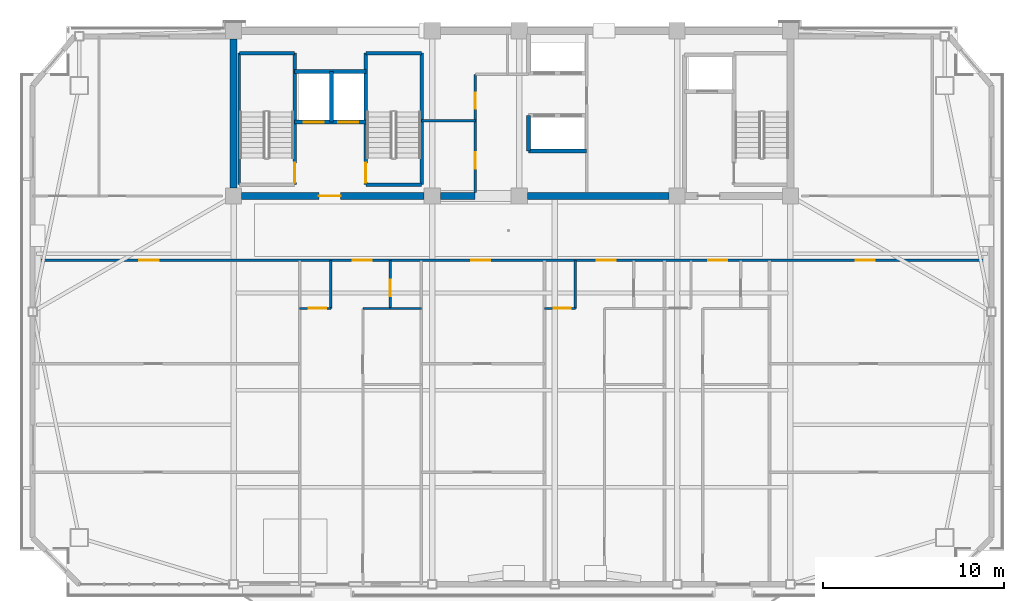
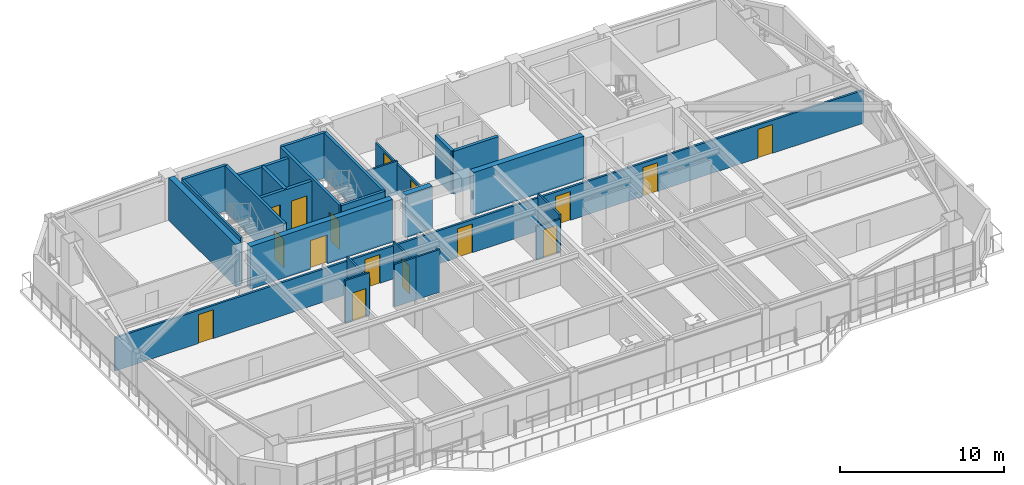
# One storey, part 9 of 18: 26 walls, 16 doors, 16 openings.
"""IFC4 building model written with IfcOpenShell, lengths in metres."""

from ifc_helpers import new_model, si_unit, direction, frame, frame_2d, origin, place, context, subcontext, project, spatial, rectangle, extrude, source, transform, mapped, material, layer, layer_set, type_object, element, fill, save


model = new_model("IFC4")

# Units and contexts
model_context = context("Model", 3, precision=1e-05, world=origin(), true_north=direction((0.0, 1.0)))
body_context = subcontext(model_context, "Body", "Model", "MODEL_VIEW")
ifc_project = project(units=[si_unit("LENGTHUNIT", "METRE"), si_unit("AREAUNIT", "SQUARE_METRE"), si_unit("VOLUMEUNIT", "CUBIC_METRE"), si_unit("PLANEANGLEUNIT", "RADIAN"), si_unit("MASSUNIT", "GRAM", prefix="KILO")], contexts=[model_context])

# Site, building, storey
site_placement = place(None, origin())
site = spatial("IfcSite", under=ifc_project, at=site_placement, CompositionType="ELEMENT")
building_placement = place(site_placement, origin())
building = spatial("IfcBuilding", under=site, at=building_placement, Name="Giltprow Tower", CompositionType="ELEMENT")
storey_placement = place(building_placement, frame((0.0, 0.0, 262.10009765625)))
storey = spatial("IfcBuildingStorey", under=building, at=storey_placement, Name="L67", CompositionType="ELEMENT", Elevation=262.10009765625)

# Wall, openings, doors
ifc_material_1 = material(Name="Gypsum stud partition", Category="gypsum")
ifc_layer_1 = layer(ifc_material_1, 0.14990234375, Name="Gypsum stud partition")
ifc_layer_set_1 = layer_set([ifc_layer_1], Name="Gypsum stud partition")
wall_type_1 = type_object("IfcWallType", Name="IW-CORR-150", PredefinedType="PARTITIONING", material=ifc_layer_set_1)
wall_1_placement = place(storey_placement, frame((8.779052734375, 33.89990234375, 0.0), z_axis=(0.0, 0.0, 1.0), x_axis=(1.0, 0.0, 0.0)))
wall_1 = element("IfcWall", 1, at=wall_1_placement, inside=storey, type_object=wall_type_1, Name="L67 Residence Gallery Corridor Wall", PredefinedType="PARTITIONING", context=body_context, shape_type="SweptSolid", body=[
    extrude(rectangle(XDim=52.843017578125, YDim=0.14990234375, at=frame_2d((26.42138671875, 0.0))), origin(), (0.0, 0.0, 1.0), 2.469970703125),
])
opening_1_placement = place(wall_1_placement, frame((5.886962890625, 0.0, 0.0)))
opening_1 = element("IfcOpeningElement", 2, at=opening_1_placement, cuts=wall_1, Name="Opening ID31", PredefinedType="OPENING", context=body_context, shape_type="SweptSolid", body=[
    extrude(rectangle(XDim=1.050048828125, YDim=2.14990234375, at=frame_2d((0.52490234375, 1.074951171875))), frame((0.0, 0.0849609375, 0.0), z_axis=(0.0, -1.0, 0.0), x_axis=(1.0, 0.0, 0.0)), (0.0, 0.0, 1.0), 0.169921875),
])
opening_2_placement = place(wall_1_placement, frame((17.64599609375, 0.0, 0.0)))
opening_2 = element("IfcOpeningElement", 3, at=opening_2_placement, cuts=wall_1, Name="Opening ID31", PredefinedType="OPENING", context=body_context, shape_type="SweptSolid", body=[
    extrude(rectangle(XDim=1.050048828125, YDim=2.14990234375, at=frame_2d((0.52490234375, 1.074951171875))), frame((0.0, 0.0849609375, 0.0), z_axis=(0.0, -1.0, 0.0), x_axis=(1.0, 0.0, 0.0)), (0.0, 0.0, 1.0), 0.169921875),
])
opening_3_placement = place(wall_1_placement, frame((24.174072265625, 0.0, 0.0)))
opening_3 = element("IfcOpeningElement", 4, at=opening_3_placement, cuts=wall_1, Name="Opening ID31", PredefinedType="OPENING", context=body_context, shape_type="SweptSolid", body=[
    extrude(rectangle(XDim=1.050048828125, YDim=2.14990234375, at=frame_2d((0.52490234375, 1.074951171875))), frame((0.0, 0.0849609375, 0.0), z_axis=(0.0, -1.0, 0.0), x_axis=(1.0, 0.0, 0.0)), (0.0, 0.0, 1.0), 0.169921875),
])
opening_4_placement = place(wall_1_placement, frame((31.095947265625, 0.0, 0.0)))
opening_4 = element("IfcOpeningElement", 5, at=opening_4_placement, cuts=wall_1, Name="Opening ID31", PredefinedType="OPENING", context=body_context, shape_type="SweptSolid", body=[
    extrude(rectangle(XDim=1.050048828125, YDim=2.14990234375, at=frame_2d((0.52490234375, 1.074951171875))), frame((0.0, 0.0849609375, 0.0), z_axis=(0.0, -1.0, 0.0), x_axis=(1.0, 0.0, 0.0)), (0.0, 0.0, 1.0), 0.169921875),
])
opening_5_placement = place(wall_1_placement, frame((37.240966796875, 0.0, 0.0)))
opening_5 = element("IfcOpeningElement", 6, at=opening_5_placement, cuts=wall_1, Name="Opening ID31", PredefinedType="OPENING", context=body_context, shape_type="SweptSolid", body=[
    extrude(rectangle(XDim=1.050048828125, YDim=2.14990234375, at=frame_2d((0.52490234375, 1.074951171875))), frame((0.0, 0.0849609375, 0.0), z_axis=(0.0, -1.0, 0.0), x_axis=(1.0, 0.0, 0.0)), (0.0, 0.0, 1.0), 0.169921875),
])
opening_6_placement = place(wall_1_placement, frame((45.35888671875, 0.0, 0.0)))
opening_6 = element("IfcOpeningElement", 7, at=opening_6_placement, cuts=wall_1, Name="Opening ID31", PredefinedType="OPENING", context=body_context, shape_type="SweptSolid", body=[
    extrude(rectangle(XDim=1.050048828125, YDim=2.14990234375, at=frame_2d((0.52490234375, 1.074951171875))), frame((0.0, 0.0849609375, 0.0), z_axis=(0.0, -1.0, 0.0), x_axis=(1.0, 0.0, 0.0)), (0.0, 0.0, 1.0), 0.169921875),
])
ifc_material_2 = material(Name="Engineered timber", Category="wood")
door_type_1 = type_object("IfcDoorType", Name="DR-SUITE-1050", OperationType="SINGLE_SWING_LEFT", PredefinedType="DOOR", material=ifc_material_2)
shared_shape_1 = source(origin(), body_context, "Body", "SweptSolid", [
    extrude(rectangle(XDim=1.050048828125, YDim=2.14990234375, at=frame_2d((0.52490234375, 1.074951171875))), frame((0.0, 0.02490234375, 0.0), z_axis=(0.0, -1.0, 0.0), x_axis=(1.0, 0.0, 0.0)), (0.0, 0.0, 1.0), 0.050048828125),
])
door_1_placement = place(opening_1_placement, origin())
door_1 = element("IfcDoor", 8, at=door_1_placement, inside=storey, type_object=door_type_1, Name="L67 Residents Board Meeting Room 1 North Door", OperationType="SINGLE_SWING_RIGHT", OverallHeight=2.14990234375, OverallWidth=1.050048828125, PredefinedType="DOOR", context=body_context, shape_type="MappedRepresentation", body=[
    mapped(shared_shape_1, transform((0.0, 0.0, 0.0), x_axis=(1.0, 0.0, 0.0), y_axis=(0.0, 1.0, 0.0), z_axis=(0.0, 0.0, 1.0), scale=1.0)),
])
fill(opening_1, door_1)
door_2_placement = place(opening_2_placement, origin())
door_2 = element("IfcDoor", 9, at=door_2_placement, inside=storey, type_object=door_type_1, Name="L67 Unit 1 Entrance Door", OperationType="SINGLE_SWING_LEFT", OverallHeight=2.14990234375, OverallWidth=1.050048828125, PredefinedType="DOOR", context=body_context, shape_type="MappedRepresentation", body=[
    mapped(shared_shape_1, transform((0.0, 0.0, 0.0), x_axis=(1.0, 0.0, 0.0), y_axis=(0.0, 1.0, 0.0), z_axis=(0.0, 0.0, 1.0), scale=1.0)),
])
fill(opening_2, door_2)
door_3_placement = place(opening_3_placement, origin())
door_3 = element("IfcDoor", 10, at=door_3_placement, inside=storey, type_object=door_type_1, Name="L67 Briefing Meeting Room 2 North Door", OperationType="SINGLE_SWING_RIGHT", OverallHeight=2.14990234375, OverallWidth=1.050048828125, PredefinedType="DOOR", context=body_context, shape_type="MappedRepresentation", body=[
    mapped(shared_shape_1, transform((0.0, 0.0, 0.0), x_axis=(1.0, 0.0, 0.0), y_axis=(0.0, 1.0, 0.0), z_axis=(0.0, 0.0, 1.0), scale=1.0)),
])
fill(opening_3, door_3)
door_4_placement = place(opening_4_placement, origin())
door_4 = element("IfcDoor", 11, at=door_4_placement, inside=storey, type_object=door_type_1, Name="L67 Unit 2 Entrance Door", OperationType="SINGLE_SWING_LEFT", OverallHeight=2.14990234375, OverallWidth=1.050048828125, PredefinedType="DOOR", context=body_context, shape_type="MappedRepresentation", body=[
    mapped(shared_shape_1, transform((0.0, 0.0, 0.0), x_axis=(1.0, 0.0, 0.0), y_axis=(0.0, 1.0, 0.0), z_axis=(0.0, 0.0, 1.0), scale=1.0)),
])
fill(opening_4, door_4)
door_5_placement = place(opening_5_placement, origin())
door_5 = element("IfcDoor", 12, at=door_5_placement, inside=storey, type_object=door_type_1, Name="L67 Unit 3 Entrance Door", OperationType="SINGLE_SWING_RIGHT", OverallHeight=2.14990234375, OverallWidth=1.050048828125, PredefinedType="DOOR", context=body_context, shape_type="MappedRepresentation", body=[
    mapped(shared_shape_1, transform((0.0, 0.0, 0.0), x_axis=(1.0, 0.0, 0.0), y_axis=(0.0, 1.0, 0.0), z_axis=(0.0, 0.0, 1.0), scale=1.0)),
])
fill(opening_5, door_5)
door_6_placement = place(opening_6_placement, origin())
door_6 = element("IfcDoor", 13, at=door_6_placement, inside=storey, type_object=door_type_1, Name="L67 Screening Meeting Room 3 North Door", OperationType="SINGLE_SWING_LEFT", OverallHeight=2.14990234375, OverallWidth=1.050048828125, PredefinedType="DOOR", context=body_context, shape_type="MappedRepresentation", body=[
    mapped(shared_shape_1, transform((0.0, 0.0, 0.0), x_axis=(1.0, 0.0, 0.0), y_axis=(0.0, 1.0, 0.0), z_axis=(0.0, 0.0, 1.0), scale=1.0)),
])
fill(opening_6, door_6)

# Wall
ifc_layer_2 = layer(ifc_material_1, 0.1201171875, Name="Gypsum stud partition")
ifc_layer_set_2 = layer_set([ifc_layer_2], Name="Gypsum stud partition")
wall_type_2 = type_object("IfcWallType", Name="IW-ROOM-120", PredefinedType="PARTITIONING", material=ifc_layer_set_2)
wall_2_placement = place(storey_placement, frame((26.97998046875, 31.25, 0.0), z_axis=(0.0, 0.0, 1.0), x_axis=(1.0, 0.0, 0.0)))
element("IfcWall", 14, at=wall_2_placement, inside=storey, type_object=wall_type_2, Name="L67 Unit 1 Bedroom North Wall", PredefinedType="PARTITIONING", context=body_context, shape_type="SweptSolid", body=[
    extrude(rectangle(XDim=1.505126953125, YDim=0.1201171875, at=frame_2d((0.75244140625, 0.0))), origin(), (0.0, 0.0, 1.0), 3.184814453125),
])

# Wall, openings, doors
ifc_material_3 = material(Name="Concrete C40", Category="concrete")
ifc_layer_3 = layer(ifc_material_3, 0.219970703125, Name="Concrete C40")
ifc_layer_set_3 = layer_set([ifc_layer_3], Name="Concrete C40")
wall_type_3 = type_object("IfcWallType", Name="IW-SHAFT-220", PredefinedType="SOLIDWALL", material=ifc_layer_set_3)
wall_3_placement = place(storey_placement, frame((23.219970703125, 41.52001953125, 0.0), z_axis=(0.0, 0.0, 1.0), x_axis=(1.0, 0.0, 0.0)))
wall_3 = element("IfcWall", 15, at=wall_3_placement, inside=storey, type_object=wall_type_3, Name="L67 FFL1 and Service Lift Front Wall", PredefinedType="SOLIDWALL", context=body_context, shape_type="SweptSolid", body=[
    extrude(rectangle(XDim=3.919921875, YDim=0.219970703125, at=frame_2d((1.9599609375, 0.0))), origin(), (0.0, 0.0, 1.0), 3.184814453125),
])
opening_7_placement = place(wall_3_placement, frame((0.5, 0.0, 0.0)))
opening_7 = element("IfcOpeningElement", 16, at=opening_7_placement, cuts=wall_3, Name="Opening LD-11", PredefinedType="OPENING", context=body_context, shape_type="SweptSolid", body=[
    extrude(rectangle(XDim=1.10009765625, YDim=2.199951171875, at=frame_2d((0.550048828125, 1.10009765625))), frame((0.0, 0.119873046875, 0.0), z_axis=(0.0, -1.0, 0.0), x_axis=(1.0, 0.0, 0.0)), (0.0, 0.0, 1.0), 0.239990234375),
])
opening_8_placement = place(wall_3_placement, frame((2.39990234375, 0.0, 0.0)))
opening_8 = element("IfcOpeningElement", 17, at=opening_8_placement, cuts=wall_3, Name="Opening LD-11", PredefinedType="OPENING", context=body_context, shape_type="SweptSolid", body=[
    extrude(rectangle(XDim=1.10009765625, YDim=2.199951171875, at=frame_2d((0.550048828125, 1.10009765625))), frame((0.0, 0.119873046875, 0.0), z_axis=(0.0, -1.0, 0.0), x_axis=(1.0, 0.0, 0.0)), (0.0, 0.0, 1.0), 0.239990234375),
])
ifc_material_4 = material(Name="Stainless steel", Category="steel")
door_type_2 = type_object("IfcDoorType", Name="DR-LIFT-LD1100", OperationType="SLIDING_TO_LEFT", PredefinedType="DOOR", material=ifc_material_4)
shared_shape_2 = source(origin(), body_context, "Body", "SweptSolid", [
    extrude(rectangle(XDim=1.10009765625, YDim=2.199951171875, at=frame_2d((0.550048828125, 1.10009765625))), frame((0.0, 0.02490234375, 0.0), z_axis=(0.0, -1.0, 0.0), x_axis=(1.0, 0.0, 0.0)), (0.0, 0.0, 1.0), 0.050048828125),
])
door_7_placement = place(opening_7_placement, origin())
door_7 = element("IfcDoor", 18, at=door_7_placement, inside=storey, type_object=door_type_2, Name="L67 FFL1 Landing Door", OperationType="SLIDING_TO_LEFT", OverallHeight=2.199951171875, OverallWidth=1.10009765625, PredefinedType="DOOR", context=body_context, shape_type="MappedRepresentation", body=[
    mapped(shared_shape_2, transform((0.0, 0.0, 0.0), x_axis=(1.0, 0.0, 0.0), y_axis=(0.0, 1.0, 0.0), z_axis=(0.0, 0.0, 1.0), scale=1.0)),
])
fill(opening_7, door_7)
door_8_placement = place(opening_8_placement, origin())
door_8 = element("IfcDoor", 19, at=door_8_placement, inside=storey, type_object=door_type_2, Name="L67 SVL1 Landing Door", OperationType="SLIDING_TO_LEFT", OverallHeight=2.199951171875, OverallWidth=1.10009765625, PredefinedType="DOOR", context=body_context, shape_type="MappedRepresentation", body=[
    mapped(shared_shape_2, transform((0.0, 0.0, 0.0), x_axis=(1.0, 0.0, 0.0), y_axis=(0.0, 1.0, 0.0), z_axis=(0.0, 0.0, 1.0), scale=1.0)),
])
fill(opening_8, door_8)

# Walls
wall_4_placement = place(storey_placement, frame((25.260009765625, 41.52001953125, 0.0), z_axis=(0.0, 0.0, 1.0), x_axis=(0.0, 1.0, 0.0)))
element("IfcWall", 20, at=wall_4_placement, inside=storey, type_object=wall_type_3, Name="L67 FFL1-SVL1 Shaft Divider", PredefinedType="SOLIDWALL", context=body_context, shape_type="SweptSolid", body=[
    extrude(rectangle(XDim=2.800048828125, YDim=0.219970703125, at=frame_2d((1.39990234375, 0.0))), origin(), (0.0, 0.0, 1.0), 3.184814453125),
])
wall_5_placement = place(storey_placement, frame((23.219970703125, 44.320068359375, 0.0), z_axis=(0.0, 0.0, 1.0), x_axis=(1.0, 0.0, 0.0)))
element("IfcWall", 21, at=wall_5_placement, inside=storey, type_object=wall_type_3, Name="L67 FFL1-SVL1 Back Shaft Wall", PredefinedType="SOLIDWALL", context=body_context, shape_type="SweptSolid", body=[
    extrude(rectangle(XDim=3.919921875, YDim=0.219970703125, at=frame_2d((1.9599609375, 0.0))), origin(), (0.0, 0.0, 1.0), 3.184814453125),
])
wall_6_placement = place(storey_placement, frame((36.1201171875, 39.919921875, 0.0), z_axis=(0.0, 0.0, 1.0), x_axis=(1.0, 0.0, 0.0)))
element("IfcWall", 22, at=wall_6_placement, inside=storey, type_object=wall_type_3, Name="L67 High-Rise South Lift Back Wall", PredefinedType="SOLIDWALL", context=body_context, shape_type="SweptSolid", body=[
    extrude(rectangle(XDim=3.199951171875, YDim=0.219970703125, at=frame_2d((1.60009765625, 0.0))), origin(), (0.0, 0.0, 1.0), 3.184814453125),
])
wall_7_placement = place(storey_placement, frame((36.1201171875, 39.919921875, 0.0), z_axis=(0.0, 0.0, 1.0), x_axis=(0.0, 1.0, 0.0)))
element("IfcWall", 23, at=wall_7_placement, inside=storey, type_object=wall_type_3, Name="L67 High-Rise South Lift West Closure", PredefinedType="SOLIDWALL", context=body_context, shape_type="SweptSolid", body=[
    extrude(rectangle(XDim=1.9599609375, YDim=0.219970703125, at=frame_2d((0.97998046875, 0.0))), origin(), (0.0, 0.0, 1.0), 3.184814453125),
])
ifc_material_5 = material(Name="Concrete C45", Category="concrete")
ifc_layer_4 = layer(ifc_material_5, 0.139892578125, Name="Concrete C45")
ifc_layer_set_4 = layer_set([ifc_layer_4], Name="Concrete C45")
wall_type_4 = type_object("IfcWallType", Name="IW-STAIR-140", PredefinedType="SOLIDWALL", material=ifc_layer_set_4)
wall_8_placement = place(storey_placement, frame((20.169921875, 38.070068359375, 0.0), z_axis=(0.0, 0.0, 1.0), x_axis=(0.0, 1.0, 0.0)))
element("IfcWall", 24, at=wall_8_placement, inside=storey, type_object=wall_type_4, Name="L67 Stair ST-1 West Bearing Wall", PredefinedType="SOLIDWALL", context=body_context, shape_type="SweptSolid", body=[
    extrude(rectangle(XDim=7.25, YDim=0.139892578125, at=frame_2d((3.625, 0.0))), origin(), (0.0, 0.0, 1.0), 3.39990234375),
])

# Wall, opening, door
ifc_layer_5 = layer(ifc_material_3, 0.199951171875, Name="Concrete C40")
ifc_layer_set_5 = layer_set([ifc_layer_5], Name="Concrete C40")
wall_type_5 = type_object("IfcWallType", Name="IW-STAIR-200", PredefinedType="SOLIDWALL", material=ifc_layer_set_5)
wall_9_placement = place(storey_placement, frame((23.219970703125, 38.070068359375, 0.0), z_axis=(0.0, 0.0, 1.0), x_axis=(0.0, 1.0, 0.0)))
wall_9 = element("IfcWall", 25, at=wall_9_placement, inside=storey, type_object=wall_type_5, Name="L67 Stair ST-1 East Bearing Wall", PredefinedType="SOLIDWALL", context=body_context, shape_type="SweptSolid", body=[
    extrude(rectangle(XDim=7.25, YDim=0.199951171875, at=frame_2d((3.625, 0.0))), origin(), (0.0, 0.0, 1.0), 3.39990234375),
])
opening_9_placement = place(wall_9_placement, frame((0.110107421875, 0.0, 0.0)))
opening_9 = element("IfcOpeningElement", 26, at=opening_9_placement, cuts=wall_9, Name="Opening ID33", PredefinedType="OPENING", context=body_context, shape_type="SweptSolid", body=[
    extrude(rectangle(XDim=1.10009765625, YDim=2.14990234375, at=frame_2d((0.550048828125, 1.074951171875))), frame((0.0, 0.10986328125, 0.0), z_axis=(0.0, -1.0, 0.0), x_axis=(1.0, 0.0, 0.0)), (0.0, 0.0, 1.0), 0.219970703125),
])
ifc_material_6 = material(Name="Steel fire leaf", Category="steel")
door_type_3 = type_object("IfcDoorType", Name="DR-STAIR-1100", OperationType="SINGLE_SWING_LEFT", PredefinedType="DOOR", material=ifc_material_6)
shared_shape_3 = source(origin(), body_context, "Body", "SweptSolid", [
    extrude(rectangle(XDim=1.10009765625, YDim=2.14990234375, at=frame_2d((0.550048828125, 1.074951171875))), frame((0.0, 0.02490234375, 0.0), z_axis=(0.0, -1.0, 0.0), x_axis=(1.0, 0.0, 0.0)), (0.0, 0.0, 1.0), 0.050048828125),
])
door_9_placement = place(opening_9_placement, origin())
door_9 = element("IfcDoor", 27, at=door_9_placement, inside=storey, type_object=door_type_3, Name="L67 Stair ST-1 Fire Door", OperationType="SINGLE_SWING_RIGHT", OverallHeight=2.14990234375, OverallWidth=1.10009765625, PredefinedType="DOOR", context=body_context, shape_type="MappedRepresentation", body=[
    mapped(shared_shape_3, transform((0.0, 0.0, 0.0), x_axis=(1.0, 0.0, 0.0), y_axis=(0.0, 1.0, 0.0), z_axis=(0.0, 0.0, 1.0), scale=1.0)),
])
fill(opening_9, door_9)

# Wall
wall_10_placement = place(storey_placement, frame((20.169921875, 45.320068359375, 0.0), z_axis=(0.0, 0.0, 1.0), x_axis=(1.0, 0.0, 0.0)))
element("IfcWall", 28, at=wall_10_placement, inside=storey, type_object=wall_type_5, Name="L67 Stair ST-1 North Bearing Wall", PredefinedType="SOLIDWALL", context=body_context, shape_type="SweptSolid", body=[
    extrude(rectangle(XDim=3.050048828125, YDim=0.199951171875, at=frame_2d((1.52490234375, 0.0))), origin(), (0.0, 0.0, 1.0), 3.39990234375),
])

# Wall, opening, door
wall_11_placement = place(storey_placement, frame((27.139892578125, 38.070068359375, 0.0), z_axis=(0.0, 0.0, 1.0), x_axis=(0.0, 1.0, 0.0)))
wall_11 = element("IfcWall", 29, at=wall_11_placement, inside=storey, type_object=wall_type_5, Name="L67 Stair ST-2 West Bearing Wall", PredefinedType="SOLIDWALL", context=body_context, shape_type="SweptSolid", body=[
    extrude(rectangle(XDim=7.25, YDim=0.199951171875, at=frame_2d((3.625, 0.0))), origin(), (0.0, 0.0, 1.0), 3.39990234375),
])
opening_10_placement = place(wall_11_placement, frame((0.110107421875, 0.0, 0.0)))
opening_10 = element("IfcOpeningElement", 30, at=opening_10_placement, cuts=wall_11, Name="Opening ID33", PredefinedType="OPENING", context=body_context, shape_type="SweptSolid", body=[
    extrude(rectangle(XDim=1.10009765625, YDim=2.14990234375, at=frame_2d((0.550048828125, 1.074951171875))), frame((0.0, 0.10986328125, 0.0), z_axis=(0.0, -1.0, 0.0), x_axis=(1.0, 0.0, 0.0)), (0.0, 0.0, 1.0), 0.219970703125),
])
door_10_placement = place(opening_10_placement, origin())
door_10 = element("IfcDoor", 31, at=door_10_placement, inside=storey, type_object=door_type_3, Name="L67 Stair ST-2 Fire Door", OperationType="SINGLE_SWING_LEFT", OverallHeight=2.14990234375, OverallWidth=1.10009765625, PredefinedType="DOOR", context=body_context, shape_type="MappedRepresentation", body=[
    mapped(shared_shape_3, transform((0.0, 0.0, 0.0), x_axis=(1.0, 0.0, 0.0), y_axis=(0.0, 1.0, 0.0), z_axis=(0.0, 0.0, 1.0), scale=1.0)),
])
fill(opening_10, door_10)

# Walls
wall_12_placement = place(storey_placement, frame((30.219970703125, 38.070068359375, 0.0), z_axis=(0.0, 0.0, 1.0), x_axis=(0.0, 1.0, 0.0)))
element("IfcWall", 32, at=wall_12_placement, inside=storey, type_object=wall_type_5, Name="L67 Stair ST-2 East Bearing Wall", PredefinedType="SOLIDWALL", context=body_context, shape_type="SweptSolid", body=[
    extrude(rectangle(XDim=7.25, YDim=0.199951171875, at=frame_2d((3.625, 0.0))), origin(), (0.0, 0.0, 1.0), 3.39990234375),
])
for number, where, z_axis, x_axis, name in (
    (33, (27.139892578125, 45.320068359375, 0.0), (0.0, 0.0, 1.0), (1.0, 0.0, 0.0), "L67 Stair ST-2 North Bearing Wall"),
    (34, (27.139892578125, 38.070068359375, 0.0), (0.0, 0.0, 1.0), (1.0, 0.0, 0.0), "L67 Stair ST-2 South Bearing Wall"),
):
    element("IfcWall", number, at=place(storey_placement, frame(where, z_axis=z_axis, x_axis=x_axis)), inside=storey, type_object=wall_type_5, Name=name, PredefinedType="SOLIDWALL", context=body_context, shape_type="SweptSolid", body=[
        extrude(rectangle(XDim=3.080078125, YDim=0.199951171875, at=frame_2d((1.5400390625, 0.0))), origin(), (0.0, 0.0, 1.0), 3.39990234375),
    ])

# Wall, openings, doors
ifc_material_7 = material(Name="Concrete C30", Category="concrete")
ifc_layer_6 = layer(ifc_material_7, 0.1298828125, Name="Concrete C30")
ifc_layer_set_6 = layer_set([ifc_layer_6], Name="Concrete C30")
wall_type_6 = type_object("IfcWallType", Name="IW-WET-130", PredefinedType="PARTITIONING", material=ifc_layer_set_6)
wall_13_placement = place(storey_placement, frame((33.179931640625, 37.6298828125, 0.0), z_axis=(0.0, 0.0, 1.0), x_axis=(0.0, 1.0, 0.0)))
wall_13 = element("IfcWall", 35, at=wall_13_placement, inside=storey, type_object=wall_type_6, Name="L67 Reclaimed West Core Wall", PredefinedType="PARTITIONING", context=body_context, shape_type="SweptSolid", body=[
    extrude(rectangle(XDim=6.52001953125, YDim=0.1298828125, at=frame_2d((3.260009765625, 0.0))), origin(), (0.0, 0.0, 1.0), 2.27001953125),
])
opening_11_placement = place(wall_13_placement, frame((1.320068359375, 0.0, 0.0)))
opening_11 = element("IfcOpeningElement", 36, at=opening_11_placement, cuts=wall_13, Name="Opening ID35", PredefinedType="OPENING", context=body_context, shape_type="SweptSolid", body=[
    extrude(rectangle(XDim=0.89990234375, YDim=2.10009765625, at=frame_2d((0.449951171875, 1.050048828125))), frame((0.0, 0.074951171875, 0.0), z_axis=(0.0, -1.0, 0.0), x_axis=(1.0, 0.0, 0.0)), (0.0, 0.0, 1.0), 0.14990234375),
])
opening_12_placement = place(wall_13_placement, frame((4.6201171875, 0.0, 0.0)))
opening_12 = element("IfcOpeningElement", 37, at=opening_12_placement, cuts=wall_13, Name="Opening ID35", PredefinedType="OPENING", context=body_context, shape_type="SweptSolid", body=[
    extrude(rectangle(XDim=0.89990234375, YDim=2.10009765625, at=frame_2d((0.449951171875, 1.050048828125))), frame((0.0, 0.074951171875, 0.0), z_axis=(0.0, -1.0, 0.0), x_axis=(1.0, 0.0, 0.0)), (0.0, 0.0, 1.0), 0.14990234375),
])
door_type_4 = type_object("IfcDoorType", Name="DR-SHAFT-900", OperationType="SINGLE_SWING_LEFT", PredefinedType="DOOR", material=ifc_material_6)
shared_shape_4 = source(origin(), body_context, "Body", "SweptSolid", [
    extrude(rectangle(XDim=0.89990234375, YDim=2.10009765625, at=frame_2d((0.449951171875, 1.050048828125))), frame((0.0, 0.02490234375, 0.0), z_axis=(0.0, -1.0, 0.0), x_axis=(1.0, 0.0, 0.0)), (0.0, 0.0, 1.0), 0.050048828125),
])
door_11_placement = place(opening_11_placement, origin())
door_11 = element("IfcDoor", 38, at=door_11_placement, inside=storey, type_object=door_type_4, Name="L67 Core Powder Room Door", OperationType="SINGLE_SWING_LEFT", OverallHeight=2.10009765625, OverallWidth=0.89990234375, PredefinedType="DOOR", context=body_context, shape_type="MappedRepresentation", body=[
    mapped(shared_shape_4, transform((0.0, 0.0, 0.0), x_axis=(1.0, 0.0, 0.0), y_axis=(0.0, 1.0, 0.0), z_axis=(0.0, 0.0, 1.0), scale=1.0)),
])
fill(opening_11, door_11)
door_12_placement = place(opening_12_placement, origin())
door_12 = element("IfcDoor", 39, at=door_12_placement, inside=storey, type_object=door_type_4, Name="L67 Core Valet Pantry Door", OperationType="SINGLE_SWING_RIGHT", OverallHeight=2.10009765625, OverallWidth=0.89990234375, PredefinedType="DOOR", context=body_context, shape_type="MappedRepresentation", body=[
    mapped(shared_shape_4, transform((0.0, 0.0, 0.0), x_axis=(1.0, 0.0, 0.0), y_axis=(0.0, 1.0, 0.0), z_axis=(0.0, 0.0, 1.0), scale=1.0)),
])
fill(opening_12, door_12)

# Wall
wall_14_placement = place(storey_placement, frame((30.219970703125, 41.60009765625, 0.0), z_axis=(0.0, 0.0, 1.0), x_axis=(1.0, 0.0, 0.0)))
element("IfcWall", 40, at=wall_14_placement, inside=storey, type_object=wall_type_6, Name="L67 West Core Split", PredefinedType="PARTITIONING", context=body_context, shape_type="SweptSolid", body=[
    extrude(rectangle(XDim=2.9599609375, YDim=0.1298828125, at=frame_2d((1.47998046875, 0.0))), origin(), (0.0, 0.0, 1.0), 2.469970703125),
])

# Wall, opening, door
wall_15_placement = place(storey_placement, frame((23.5, 31.25, 0.0), z_axis=(0.0, 0.0, 1.0), x_axis=(1.0, 0.0, 0.0)))
wall_15 = element("IfcWall", 41, at=wall_15_placement, inside=storey, type_object=wall_type_6, Name="L67 Unit 1 Kitchen South Wall", PredefinedType="PARTITIONING", context=body_context, shape_type="SweptSolid", body=[
    extrude(rectangle(XDim=1.715087890625, YDim=0.1298828125, at=frame_2d((0.857421875, 0.0))), origin(), (0.0, 0.0, 1.0), 3.184814453125),
])
opening_13_placement = place(wall_15_placement, frame((0.5029296875, 0.0, 0.0)))
opening_13 = element("IfcOpeningElement", 42, at=opening_13_placement, cuts=wall_15, Name="Opening ID11", PredefinedType="OPENING", context=body_context, shape_type="SweptSolid", body=[
    extrude(rectangle(XDim=0.949951171875, YDim=2.10009765625, at=frame_2d((0.47509765625, 1.050048828125))), frame((0.0, 0.074951171875, 0.0), z_axis=(0.0, -1.0, 0.0), x_axis=(1.0, 0.0, 0.0)), (0.0, 0.0, 1.0), 0.14990234375),
])
door_type_5 = type_object("IfcDoorType", Name="DR-ROOM-950", OperationType="SINGLE_SWING_RIGHT", PredefinedType="DOOR", material=ifc_material_2)
shared_shape_5 = source(origin(), body_context, "Body", "SweptSolid", [
    extrude(rectangle(XDim=0.949951171875, YDim=2.10009765625, at=frame_2d((0.47509765625, 1.050048828125))), frame((0.0, 0.02490234375, 0.0), z_axis=(0.0, -1.0, 0.0), x_axis=(1.0, 0.0, 0.0)), (0.0, 0.0, 1.0), 0.050048828125),
])
door_13_placement = place(opening_13_placement, origin())
door_13 = element("IfcDoor", 43, at=door_13_placement, inside=storey, type_object=door_type_5, Name="L67 Unit 1 Kitchen Door", OperationType="SINGLE_SWING_RIGHT", OverallHeight=2.10009765625, OverallWidth=0.949951171875, PredefinedType="DOOR", context=body_context, shape_type="MappedRepresentation", body=[
    mapped(shared_shape_5, transform((0.0, 0.0, 0.0), x_axis=(1.0, 0.0, 0.0), y_axis=(0.0, 1.0, 0.0), z_axis=(0.0, 0.0, 1.0), scale=1.0)),
])
fill(opening_13, door_13)

# Walls
wall_16_placement = place(storey_placement, frame((25.215087890625, 31.25, 0.0), z_axis=(0.0, 0.0, 1.0), x_axis=(0.0, 1.0, 0.0)))
element("IfcWall", 44, at=wall_16_placement, inside=storey, type_object=wall_type_6, Name="L67 Unit 1 Kitchen East Wall", PredefinedType="PARTITIONING", context=body_context, shape_type="SweptSolid", body=[
    extrude(rectangle(XDim=2.64990234375, YDim=0.1298828125, at=frame_2d((1.324951171875, 0.0))), origin(), (0.0, 0.0, 1.0), 2.77001953125),
])
wall_17_placement = place(storey_placement, frame((28.485107421875, 31.25, 0.0), z_axis=(0.0, 0.0, 1.0), x_axis=(1.0, 0.0, 0.0)))
element("IfcWall", 45, at=wall_17_placement, inside=storey, type_object=wall_type_6, Name="L67 Unit 1 Bathroom South Wall", PredefinedType="PARTITIONING", context=body_context, shape_type="SweptSolid", body=[
    extrude(rectangle(XDim=1.71484375, YDim=0.1298828125, at=frame_2d((0.857421875, 0.0))), origin(), (0.0, 0.0, 1.0), 3.184814453125),
])

# Wall, opening, door
wall_18_placement = place(storey_placement, frame((28.485107421875, 31.25, 0.0), z_axis=(0.0, 0.0, 1.0), x_axis=(0.0, 1.0, 0.0)))
wall_18 = element("IfcWall", 46, at=wall_18_placement, inside=storey, type_object=wall_type_6, Name="L67 Unit 1 Bathroom West Wall", PredefinedType="PARTITIONING", context=body_context, shape_type="SweptSolid", body=[
    extrude(rectangle(XDim=2.64990234375, YDim=0.1298828125, at=frame_2d((1.324951171875, 0.0))), origin(), (0.0, 0.0, 1.0), 2.77001953125),
])
opening_14_placement = place(wall_18_placement, frame((0.669921875, 0.0, 0.0)))
opening_14 = element("IfcOpeningElement", 47, at=opening_14_placement, cuts=wall_18, Name="Opening ID15", PredefinedType="OPENING", context=body_context, shape_type="SweptSolid", body=[
    extrude(rectangle(XDim=0.89990234375, YDim=2.10009765625, at=frame_2d((0.449951171875, 1.050048828125))), frame((0.0, 0.074951171875, 0.0), z_axis=(0.0, -1.0, 0.0), x_axis=(1.0, 0.0, 0.0)), (0.0, 0.0, 1.0), 0.14990234375),
])
door_type_6 = type_object("IfcDoorType", Name="DR-WC-900", OperationType="SINGLE_SWING_LEFT", PredefinedType="DOOR", material=ifc_material_2)
door_14_placement = place(opening_14_placement, origin())
door_14 = element("IfcDoor", 48, at=door_14_placement, inside=storey, type_object=door_type_6, Name="L67 Unit 1 Bathroom Door", OperationType="SINGLE_SWING_LEFT", OverallHeight=2.10009765625, OverallWidth=0.89990234375, PredefinedType="DOOR", context=body_context, shape_type="MappedRepresentation", body=[
    mapped(shared_shape_4, transform((0.0, 0.0, 0.0), x_axis=(1.0, 0.0, 0.0), y_axis=(0.0, 1.0, 0.0), z_axis=(0.0, 0.0, 1.0), scale=1.0)),
])
fill(opening_14, door_14)

wall_19_placement = place(storey_placement, frame((37.0, 31.25, 0.0), z_axis=(0.0, 0.0, 1.0), x_axis=(1.0, 0.0, 0.0)))
wall_19 = element("IfcWall", 49, at=wall_19_placement, inside=storey, type_object=wall_type_6, Name="L67 Unit 2 Kitchen South Wall", PredefinedType="PARTITIONING", context=body_context, shape_type="SweptSolid", body=[
    extrude(rectangle(XDim=1.68994140625, YDim=0.1298828125, at=frame_2d((0.844970703125, 0.0))), origin(), (0.0, 0.0, 1.0), 2.469970703125),
])
opening_15_placement = place(wall_19_placement, frame((0.489990234375, 0.0, 0.0)))
opening_15 = element("IfcOpeningElement", 50, at=opening_15_placement, cuts=wall_19, Name="Opening ID11", PredefinedType="OPENING", context=body_context, shape_type="SweptSolid", body=[
    extrude(rectangle(XDim=0.949951171875, YDim=2.10009765625, at=frame_2d((0.47509765625, 1.050048828125))), frame((0.0, 0.074951171875, 0.0), z_axis=(0.0, -1.0, 0.0), x_axis=(1.0, 0.0, 0.0)), (0.0, 0.0, 1.0), 0.14990234375),
])
door_15_placement = place(opening_15_placement, origin())
door_15 = element("IfcDoor", 51, at=door_15_placement, inside=storey, type_object=door_type_5, Name="L67 Unit 2 Kitchen Door", OperationType="SINGLE_SWING_RIGHT", OverallHeight=2.10009765625, OverallWidth=0.949951171875, PredefinedType="DOOR", context=body_context, shape_type="MappedRepresentation", body=[
    mapped(shared_shape_5, transform((0.0, 0.0, 0.0), x_axis=(1.0, 0.0, 0.0), y_axis=(0.0, 1.0, 0.0), z_axis=(0.0, 0.0, 1.0), scale=1.0)),
])
fill(opening_15, door_15)

# Wall
wall_20_placement = place(storey_placement, frame((38.68994140625, 31.25, 0.0), z_axis=(0.0, 0.0, 1.0), x_axis=(0.0, 1.0, 0.0)))
element("IfcWall", 52, at=wall_20_placement, inside=storey, type_object=wall_type_6, Name="L67 Unit 2 Kitchen East Wall", PredefinedType="PARTITIONING", context=body_context, shape_type="SweptSolid", body=[
    extrude(rectangle(XDim=2.64990234375, YDim=0.1298828125, at=frame_2d((1.324951171875, 0.0))), origin(), (0.0, 0.0, 1.0), 2.77001953125),
])

# Wall, opening, door
ifc_layer_7 = layer(ifc_material_5, 0.39990234375, Name="Concrete C45")
ifc_layer_set_7 = layer_set([ifc_layer_7], Name="Concrete C45")
wall_type_7 = type_object("IfcWallType", Name="SW-INT-400-C45", PredefinedType="SHEAR", material=ifc_layer_set_7)
wall_21_placement = place(storey_placement, frame((20.300048828125, 37.449951171875, 0.0), z_axis=(0.0, 0.0, 1.0), x_axis=(1.0, 0.0, 0.0)))
wall_21 = element("IfcWall", 53, at=wall_21_placement, inside=storey, type_object=wall_type_7, Name="L67 South Rear Core Shear Wall West", PredefinedType="SHEAR", context=body_context, shape_type="SweptSolid", body=[
    extrude(rectangle(XDim=10.050048828125, YDim=0.39990234375, at=frame_2d((5.02490234375, 0.0))), origin(), (0.0, 0.0, 1.0), 3.184814453125),
])
opening_16_placement = place(wall_21_placement, frame((4.25, 0.0, 0.0)))
opening_16 = element("IfcOpeningElement", 54, at=opening_16_placement, cuts=wall_21, Name="Opening ID19", PredefinedType="OPENING", context=body_context, shape_type="SweptSolid", body=[
    extrude(rectangle(XDim=1.199951171875, YDim=2.14990234375, at=frame_2d((0.60009765625, 1.074951171875))), frame((0.0, 0.2099609375, 0.0), z_axis=(0.0, -1.0, 0.0), x_axis=(1.0, 0.0, 0.0)), (0.0, 0.0, 1.0), 0.419921875),
])
door_type_7 = type_object("IfcDoorType", Name="DR-FFLOBBY-1200", OperationType="SINGLE_SWING_RIGHT", PredefinedType="DOOR", material=ifc_material_6)
shared_shape_6 = source(origin(), body_context, "Body", "SweptSolid", [
    extrude(rectangle(XDim=1.199951171875, YDim=2.14990234375, at=frame_2d((0.60009765625, 1.074951171875))), frame((0.0, 0.02490234375, 0.0), z_axis=(0.0, -1.0, 0.0), x_axis=(1.0, 0.0, 0.0)), (0.0, 0.0, 1.0), 0.050048828125),
])
door_16_placement = place(opening_16_placement, origin())
door_16 = element("IfcDoor", 55, at=door_16_placement, inside=storey, type_object=door_type_7, Name="L67 West Firefighting Lobby Entry Door", OperationType="SINGLE_SWING_LEFT", OverallHeight=2.14990234375, OverallWidth=1.199951171875, PredefinedType="DOOR", context=body_context, shape_type="MappedRepresentation", body=[
    mapped(shared_shape_6, transform((0.0, 0.0, 0.0), x_axis=(1.0, 0.0, 0.0), y_axis=(0.0, 1.0, 0.0), z_axis=(0.0, 0.0, 1.0), scale=1.0)),
])
fill(opening_16, door_16)

# Walls
wall_22_placement = place(storey_placement, frame((31.25, 37.449951171875, 0.0), z_axis=(0.0, 0.0, 1.0), x_axis=(1.0, 0.0, 0.0)))
element("IfcWall", 56, at=wall_22_placement, inside=storey, type_object=wall_type_7, Name="L67 South Rear Core Shear Wall Mid-West", PredefinedType="SHEAR", context=body_context, shape_type="SweptSolid", body=[
    extrude(rectangle(XDim=1.89990234375, YDim=0.39990234375, at=frame_2d((0.949951171875, 0.0))), origin(), (0.0, 0.0, 1.0), 3.184814453125),
])
wall_23_placement = place(storey_placement, frame((36.050048828125, 37.449951171875, 0.0), z_axis=(0.0, 0.0, 1.0), x_axis=(1.0, 0.0, 0.0)))
element("IfcWall", 57, at=wall_23_placement, inside=storey, type_object=wall_type_7, Name="L67 South Rear Core Shear Wall Mid-East", PredefinedType="SHEAR", context=body_context, shape_type="SweptSolid", body=[
    extrude(rectangle(XDim=7.800048828125, YDim=0.39990234375, at=frame_2d((3.89990234375, 0.0))), origin(), (0.0, 0.0, 1.0), 3.184814453125),
])
wall_24_placement = place(storey_placement, frame((19.85009765625, 37.89990234375, 0.0), z_axis=(0.0, 0.0, 1.0), x_axis=(0.0, 1.0, 0.0)))
element("IfcWall", 58, at=wall_24_placement, inside=storey, type_object=wall_type_7, Name="L67 W Rear Core Shear Wall", PredefinedType="SHEAR", context=body_context, shape_type="SweptSolid", body=[
    extrude(rectangle(XDim=8.2001953125, YDim=0.39990234375, at=frame_2d((4.10009765625, 0.0))), origin(), (0.0, 0.0, 1.0), 3.184814453125),
])

save(model, "model.ifc")
